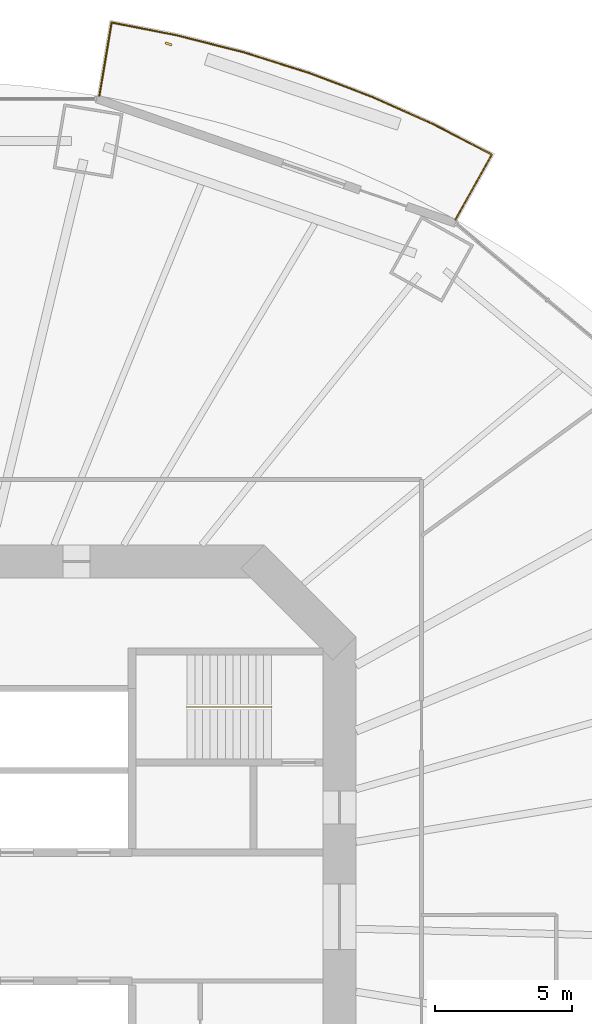
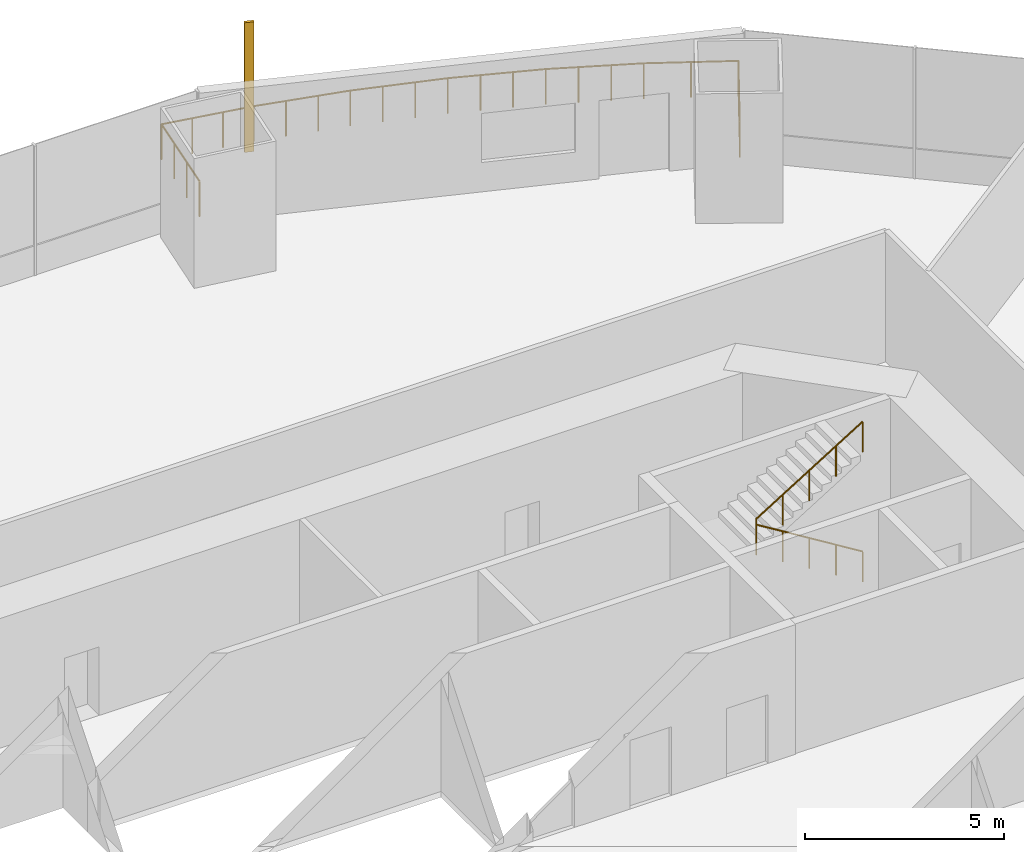
# One storey, part 21 of 23: 2 railings, 1 shading device.
"""IFC4 building model written with IfcOpenShell, lengths in metres."""

from ifc_helpers import new_model, si_unit, direction, frame, origin, origin_2d, place, context, subcontext, project, spatial, rectangle, circle, extrude, material, material_profile, profile_set, type_object, element, save


model = new_model("IFC4")

# Units and contexts
model_context = context("Model", 3, precision=1e-05, world=origin(), true_north=direction((0.0, 1.0)))
body_context = subcontext(model_context, "Body", "Model", "MODEL_VIEW")
ifc_project = project(units=[si_unit("LENGTHUNIT", "METRE"), si_unit("AREAUNIT", "SQUARE_METRE"), si_unit("VOLUMEUNIT", "CUBIC_METRE"), si_unit("PLANEANGLEUNIT", "RADIAN"), si_unit("MASSUNIT", "GRAM", prefix="KILO")], contexts=[model_context])

# Site, building, storey
site_placement = place(None, origin())
site = spatial("IfcSite", under=ifc_project, at=site_placement, CompositionType="ELEMENT")
building_placement = place(site_placement, origin())
building = spatial("IfcBuilding", under=site, at=building_placement, Name="Marenthal Gate Tower", CompositionType="ELEMENT")
storey_placement = place(building_placement, frame((0.0, 0.0, 49.60009765625)))
storey = spatial("IfcBuildingStorey", under=building, at=storey_placement, Name="L08", CompositionType="ELEMENT", Elevation=49.60009765625)

# Railings
ifc_material_1 = material(Name="Stainless steel", Category="steel")
railing_type_1 = type_object("IfcRailingType", Name="Balcony guard 1100", PredefinedType="GUARDRAIL", material=ifc_material_1)
railing_1_placement = place(storey_placement, frame((7.2109375, 30.033203125, 0.0)))
element("IfcRailing", 1, at=railing_1_placement, inside=storey, type_object=railing_type_1, Name="Balcony guard L08 bay 3", PredefinedType="GUARDRAIL", context=body_context, shape_type="SweptSolid", body=[
    extrude(circle(Radius=0.02392578125, at=origin_2d()), frame((0.0, 0.0, 1.076171875), z_axis=(0.164512163182, 0.986265227064, -0.014719036968), x_axis=(-0.986372081632, 0.164529986862, 0.0)), (0.0, 0.0, 1.0), 2.72021484375),
    extrude(circle(Radius=0.02392578125, at=origin_2d()), frame((0.447509765625, 2.682861328125, 1.0361328125), z_axis=(0.981261967917, -0.19267835976, 0.0), x_axis=(0.19267835976, 0.981261967917, 0.0)), (0.0, 0.0, 1.0), 2.445556640625),
    extrude(circle(Radius=0.02392578125, at=origin_2d()), frame((2.84716796875, 2.211669921875, 1.0361328125), z_axis=(0.969181494284, -0.246347784927, 0.0), x_axis=(0.246347784927, 0.969181494284, 0.0)), (0.0, 0.0, 1.0), 2.515380859375),
    extrude(circle(Radius=0.02392578125, at=origin_2d()), frame((5.284912109375, 1.592041015625, 1.0361328125), z_axis=(0.953671084495, -0.30085123001, 0.0), x_axis=(0.30085123001, 0.953671084495, 0.0)), (0.0, 0.0, 1.0), 2.502685546875),
    extrude(circle(Radius=0.02392578125, at=origin_2d()), frame((7.671630859375, 0.839111328125, 1.0361328125), z_axis=(0.934902124895, -0.354905645019, 0.0), x_axis=(0.354905645019, 0.934902124895, 0.0)), (0.0, 0.0, 1.0), 2.488037109375),
    extrude(circle(Radius=0.02392578125, at=origin_2d()), frame((9.997802734375, -0.0439453125, 1.0361328125), z_axis=(0.912605925031, -0.408840342429, 0.0), x_axis=(0.408840342429, 0.912605925031, 0.0)), (0.0, 0.0, 1.0), 2.4716796875),
    extrude(circle(Radius=0.02392578125, at=origin_2d()), frame((12.25341796875, -1.054443359375, 1.0361328125), z_axis=(0.887280789471, -0.461229661487, 0.0), x_axis=(0.461229661487, 0.887280789471, 0.0)), (0.0, 0.0, 1.0), 2.37353515625),
    extrude(circle(Radius=0.02392578125, at=origin_2d()), frame((14.359375, -2.149169921875, 1.0361328125), z_axis=(-0.488779989422, -0.872282908041, 0.014719044852), x_axis=(0.872377413566, -0.488832945188, 0.0)), (0.0, 0.0, 1.0), 2.72021484375),
    extrude(circle(Radius=0.02099609375, at=origin_2d()), origin(), (0.0, 0.0, 1.0), 1.052001953125),
    extrude(circle(Radius=0.02099609375, at=origin_2d()), frame((0.149169921875, 0.894287109375, -0.013427734375)), (0.0, 0.0, 1.0), 1.052001953125),
    extrude(circle(Radius=0.02099609375, at=origin_2d()), frame((0.29833984375, 1.78857421875, -0.026611328125)), (0.0, 0.0, 1.0), 1.052001953125),
    extrude(circle(Radius=0.02099609375, at=origin_2d()), frame((0.447509765625, 2.682861328125, -0.0400390625)), (0.0, 0.0, 1.0), 1.052001953125),
    extrude(circle(Radius=0.02099609375, at=origin_2d()), frame((1.247314453125, 2.52587890625, -0.0400390625)), (0.0, 0.0, 1.0), 1.052001953125),
    extrude(circle(Radius=0.02099609375, at=origin_2d()), frame((2.04736328125, 2.36865234375, -0.0400390625)), (0.0, 0.0, 1.0), 1.052001953125),
    extrude(circle(Radius=0.02099609375, at=origin_2d()), frame((2.84716796875, 2.211669921875, -0.0400390625)), (0.0, 0.0, 1.0), 1.052001953125),
    extrude(circle(Radius=0.02099609375, at=origin_2d()), frame((3.65966796875, 2.005126953125, -0.0400390625)), (0.0, 0.0, 1.0), 1.052001953125),
    extrude(circle(Radius=0.02099609375, at=origin_2d()), frame((4.472412109375, 1.798583984375, -0.0400390625)), (0.0, 0.0, 1.0), 1.052001953125),
    extrude(circle(Radius=0.02099609375, at=origin_2d()), frame((5.284912109375, 1.592041015625, -0.0400390625)), (0.0, 0.0, 1.0), 1.052001953125),
    extrude(circle(Radius=0.02099609375, at=origin_2d()), frame((6.08056640625, 1.341064453125, -0.0400390625)), (0.0, 0.0, 1.0), 1.052001953125),
    extrude(circle(Radius=0.02099609375, at=origin_2d()), frame((6.8759765625, 1.090087890625, -0.0400390625)), (0.0, 0.0, 1.0), 1.052001953125),
    extrude(circle(Radius=0.02099609375, at=origin_2d()), frame((7.671630859375, 0.839111328125, -0.0400390625)), (0.0, 0.0, 1.0), 1.052001953125),
    extrude(circle(Radius=0.02099609375, at=origin_2d()), frame((8.447021484375, 0.544677734375, -0.0400390625)), (0.0, 0.0, 1.0), 1.052001953125),
    extrude(circle(Radius=0.02099609375, at=origin_2d()), frame((9.222412109375, 0.25048828125, -0.0400390625)), (0.0, 0.0, 1.0), 1.052001953125),
    extrude(circle(Radius=0.02099609375, at=origin_2d()), frame((9.997802734375, -0.0439453125, -0.0400390625)), (0.0, 0.0, 1.0), 1.052001953125),
    extrude(circle(Radius=0.02099609375, at=origin_2d()), frame((10.749755859375, -0.380859375, -0.0400390625)), (0.0, 0.0, 1.0), 1.052001953125),
    extrude(circle(Radius=0.02099609375, at=origin_2d()), frame((11.50146484375, -0.717529296875, -0.0400390625)), (0.0, 0.0, 1.0), 1.052001953125),
    extrude(circle(Radius=0.02099609375, at=origin_2d()), frame((12.25341796875, -1.054443359375, -0.0400390625)), (0.0, 0.0, 1.0), 1.052001953125),
    extrude(circle(Radius=0.02099609375, at=origin_2d()), frame((13.306396484375, -1.601806640625, -0.0400390625)), (0.0, 0.0, 1.0), 1.052001953125),
    extrude(circle(Radius=0.02099609375, at=origin_2d()), frame((14.359375, -2.149169921875, -0.0400390625)), (0.0, 0.0, 1.0), 1.052001953125),
    extrude(circle(Radius=0.02099609375, at=origin_2d()), frame((13.916259765625, -2.940185546875, -0.026611328125)), (0.0, 0.0, 1.0), 1.052001953125),
    extrude(circle(Radius=0.02099609375, at=origin_2d()), frame((13.472900390625, -3.73095703125, -0.013427734375)), (0.0, 0.0, 1.0), 1.052001953125),
    extrude(circle(Radius=0.02099609375, at=origin_2d()), frame((13.02978515625, -4.52197265625, 0.0)), (0.0, 0.0, 1.0), 1.052001953125),
])
ifc_material_2 = material(Name="Stainless steel", Category="steel")
railing_type_2 = type_object("IfcRailingType", Name="Stair handrail", PredefinedType="HANDRAIL", material=ifc_material_2)
railing_2_placement = place(storey_placement, frame((13.5, 7.675048828125, 0.1728515625)))
element("IfcRailing", 2, at=railing_2_placement, inside=storey, type_object=railing_type_2, Name="Handrail ST3", PredefinedType="HANDRAIL", context=body_context, shape_type="SweptSolid", body=[
    extrude(circle(Radius=0.0224609375, at=origin_2d()), frame((0.0, 0.0, 0.927490234375), z_axis=(-0.850835241893, 0.0, 0.525432575268), x_axis=(0.0, -1.0, 0.0)), (0.0, 0.0, 1.0), 3.6201171875),
    extrude(circle(Radius=0.0224609375, at=origin_2d()), frame((-3.080078125, 0.0, 2.82958984375), z_axis=(0.0, 0.0, 1.0), x_axis=(1.0, 0.0, 0.0)), (0.0, 0.0, 1.0), 0.1728515625),
    extrude(circle(Radius=0.0224609375, at=origin_2d()), frame((-3.080078125, 0.0, 3.00244140625), z_axis=(0.850835241893, 0.0, 0.525432575268), x_axis=(0.0, 1.0, 0.0)), (0.0, 0.0, 1.0), 3.6201171875),
    extrude(circle(Radius=0.02001953125, at=origin_2d()), origin(), (0.0, 0.0, 1.0), 0.905029296875),
    extrude(circle(Radius=0.02001953125, at=origin_2d()), frame((-0.77001953125, 0.0, 0.4755859375)), (0.0, 0.0, 1.0), 0.905029296875),
    extrude(circle(Radius=0.02001953125, at=origin_2d()), frame((-1.5400390625, 0.0, 0.951171875)), (0.0, 0.0, 1.0), 0.905029296875),
    extrude(circle(Radius=0.02001953125, at=origin_2d()), frame((-2.31005859375, 0.0, 1.426513671875)), (0.0, 0.0, 1.0), 0.905029296875),
    extrude(circle(Radius=0.02001953125, at=origin_2d()), frame((-3.080078125, 0.0, 1.902099609375)), (0.0, 0.0, 1.0), 0.905029296875),
    extrude(circle(Radius=0.02001953125, at=origin_2d()), frame((-3.080078125, 0.0, 2.074951171875)), (0.0, 0.0, 1.0), 0.905029296875),
    extrude(circle(Radius=0.02001953125, at=origin_2d()), frame((-2.31005859375, 0.0, 2.550537109375)), (0.0, 0.0, 1.0), 0.905029296875),
    extrude(circle(Radius=0.02001953125, at=origin_2d()), frame((-1.5400390625, 0.0, 3.02587890625)), (0.0, 0.0, 1.0), 0.905029296875),
    extrude(circle(Radius=0.02001953125, at=origin_2d()), frame((-0.77001953125, 0.0, 3.50146484375)), (0.0, 0.0, 1.0), 0.905029296875),
    extrude(circle(Radius=0.02001953125, at=origin_2d()), frame((0.0, 0.0, 3.97705078125)), (0.0, 0.0, 1.0), 0.905029296875),
])

# Shading device
ifc_material_3 = material(Name="Terracotta", Category="masonry")
ifc_material_profile = material_profile(ifc_material_3, rectangle(XDim=0.25, YDim=0.080078125, at=origin_2d()), Name="Terracotta baguette 250x80")
ifc_profile_set = profile_set([ifc_material_profile], Name="Terracotta")
shading_device_type = type_object("IfcShadingDeviceType", Name="Terracotta BAGUETTE SCREEN 250x80", PredefinedType="USERDEFINED", material=ifc_profile_set)
shading_device_placement = place(storey_placement, frame((9.740234375, 31.9326171875, -0.0400390625), z_axis=(0.0, 0.0, 1.0), x_axis=(-0.944690686162, 0.327962661713, 0.0)))
element("IfcShadingDevice", 3, at=shading_device_placement, inside=storey, type_object=shading_device_type, Name="Terracotta BAGUETTE L08 bay 3R", ObjectType="BAGUETTE SCREEN", PredefinedType="USERDEFINED", context=body_context, shape_type="SweptSolid", body=[
    extrude(rectangle(XDim=0.25, YDim=0.080078125, at=origin_2d()), origin(), (0.0, 0.0, 1.0), 3.969970703125),
])

save(model, "model.ifc")
